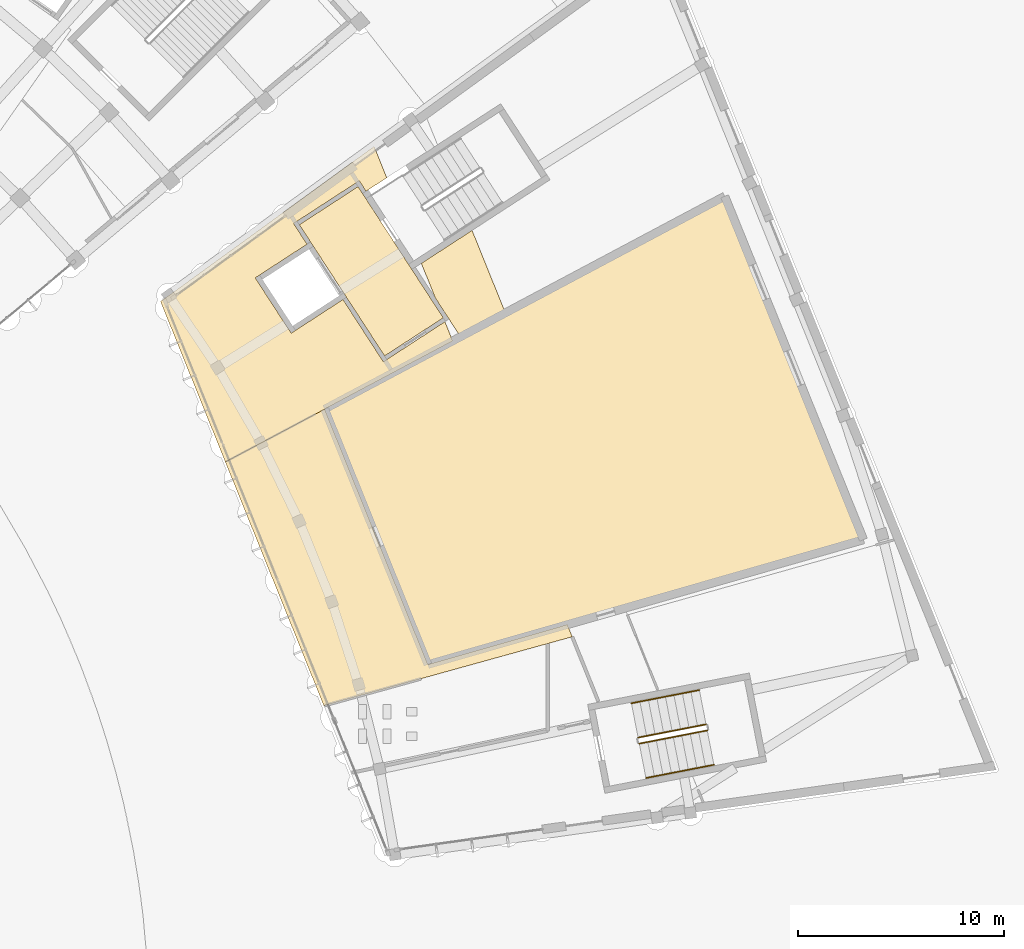
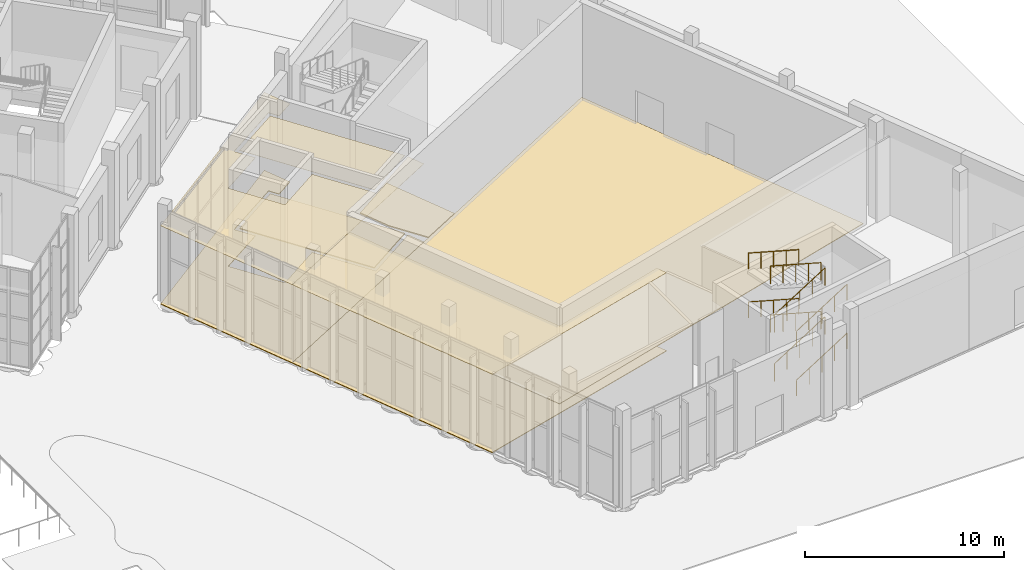
# One storey, part 142 of 155: 8 coverings, 8 railings.
"""IFC4 building model written with IfcOpenShell, lengths in metres."""

from ifc_helpers import new_model, si_unit, direction, frame, origin, origin_2d, place, context, subcontext, project, spatial, polyline, circle, outline, extrude, material, layer, layer_set, type_object, element, save


model = new_model("IFC4")

# Units and contexts
model_context = context("Model", 3, precision=1e-05, world=origin(), true_north=direction((0.0, 1.0)))
body_context = subcontext(model_context, "Body", "Model", "MODEL_VIEW")
ifc_project = project(units=[si_unit("LENGTHUNIT", "METRE"), si_unit("AREAUNIT", "SQUARE_METRE"), si_unit("VOLUMEUNIT", "CUBIC_METRE"), si_unit("PLANEANGLEUNIT", "RADIAN"), si_unit("MASSUNIT", "GRAM", prefix="KILO")], contexts=[model_context])

# Site, building, storey
site_placement = place(None, origin())
site = spatial("IfcSite", under=ifc_project, at=site_placement, CompositionType="ELEMENT")
building_placement = place(site_placement, origin())
building = spatial("IfcBuilding", under=site, at=building_placement, Name="Lunette Opera House", CompositionType="ELEMENT")
storey_placement = place(building_placement, origin())
storey = spatial("IfcBuildingStorey", under=building, at=storey_placement, Name="L00", CompositionType="ELEMENT", Elevation=0.0)

# Covering
ifc_material_1 = material(Name="Cement screed")
ifc_layer_1 = layer(ifc_material_1, 0.070068359375)
ifc_layer_set_1 = layer_set([ifc_layer_1], Name="Cement screed")
covering_type_1 = type_object("IfcCoveringType", Name="SCREED FLOOR FINISH 70", PredefinedType="FLOORING", material=ifc_layer_set_1)
covering_1_placement = place(storey_placement, origin())
element("IfcCovering", 1, at=covering_1_placement, inside=storey, type_object=covering_type_1, Name="Floor finish Studio Corridor North West", PredefinedType="FLOORING", context=body_context, shape_type="SweptSolid", body=[
    extrude(outline(polyline([(157.885009765625, 35.43505859375), (157.429931640625, 36.56005859375), (157.202880859375, 37.1220703125), (158.43505859375, 37.922119140625), (159.6669921875, 38.721923828125), (161.287109375, 34.714111328125), (159.10595703125, 33.553955078125), (158.501953125, 34.48388671875), (157.885009765625, 35.43505859375)])), origin(), (0.0, 0.0, 1.0), 0.070068359375),
])

# Railings
ifc_material_2 = material(Name="Steel S355", Category="steel")
railing_type_1 = type_object("IfcRailingType", Name="STAIR GUARD 1100", PredefinedType="GUARDRAIL", material=ifc_material_2)
railing_1_placement = place(storey_placement, frame((167.785400390625, 13.801025390625, 0.166748046875)))
element("IfcRailing", 2, at=railing_1_placement, inside=storey, type_object=railing_type_1, Name="L00 ST22 stair guard 1", PredefinedType="GUARDRAIL", context=body_context, shape_type="SweptSolid", body=[
    extrude(circle(Radius=0.02392578125, at=origin_2d()), frame((0.0, 0.0, 1.076171875), z_axis=(0.912435432741, 0.177286677346, 0.368823826662), x_axis=(-0.19073352033, 0.981641851299, 0.0)), (0.0, 0.0, 1.0), 3.614990234375),
    extrude(circle(Radius=0.02099609375, at=origin_2d()), origin(), (0.0, 0.0, 1.0), 1.052001953125),
    extrude(circle(Radius=0.02099609375, at=origin_2d()), frame((0.82470703125, 0.16015625, 0.333251953125)), (0.0, 0.0, 1.0), 1.052001953125),
    extrude(circle(Radius=0.02099609375, at=origin_2d()), frame((1.649169921875, 0.3203125, 0.66650390625)), (0.0, 0.0, 1.0), 1.052001953125),
    extrude(circle(Radius=0.02099609375, at=origin_2d()), frame((2.4736328125, 0.480712890625, 1.0)), (0.0, 0.0, 1.0), 1.052001953125),
    extrude(circle(Radius=0.02099609375, at=origin_2d()), frame((3.29833984375, 0.640869140625, 1.333251953125)), (0.0, 0.0, 1.0), 1.052001953125),
])
railing_2_placement = place(storey_placement, frame((171.026611328125, 14.736083984375, 1.666748046875)))
element("IfcRailing", 3, at=railing_2_placement, inside=storey, type_object=railing_type_1, Name="L00 ST22 stair guard 3", PredefinedType="GUARDRAIL", context=body_context, shape_type="SweptSolid", body=[
    extrude(circle(Radius=0.02392578125, at=origin_2d()), frame((0.0, 0.0, 1.076171875), z_axis=(-0.912435432741, -0.177286677346, 0.368823826662), x_axis=(0.19073352033, -0.981641851299, 0.0)), (0.0, 0.0, 1.0), 3.614990234375),
    extrude(circle(Radius=0.02099609375, at=origin_2d()), origin(), (0.0, 0.0, 1.0), 1.052001953125),
    extrude(circle(Radius=0.02099609375, at=origin_2d()), frame((-0.82470703125, -0.16015625, 0.333251953125)), (0.0, 0.0, 1.0), 1.052001953125),
    extrude(circle(Radius=0.02099609375, at=origin_2d()), frame((-1.649169921875, -0.3203125, 0.66650390625)), (0.0, 0.0, 1.0), 1.052001953125),
    extrude(circle(Radius=0.02099609375, at=origin_2d()), frame((-2.4736328125, -0.480712890625, 1.0)), (0.0, 0.0, 1.0), 1.052001953125),
    extrude(circle(Radius=0.02099609375, at=origin_2d()), frame((-3.29833984375, -0.640869140625, 1.333251953125)), (0.0, 0.0, 1.0), 1.052001953125),
])
railing_3_placement = place(storey_placement, frame((167.785400390625, 13.801025390625, 3.166748046875)))
element("IfcRailing", 4, at=railing_3_placement, inside=storey, type_object=railing_type_1, Name="L00 ST22 stair guard 5", PredefinedType="GUARDRAIL", context=body_context, shape_type="SweptSolid", body=[
    extrude(circle(Radius=0.02392578125, at=origin_2d()), frame((0.0, 0.0, 1.076171875), z_axis=(0.912435432741, 0.177286677346, 0.368823826662), x_axis=(-0.19073352033, 0.981641851299, 0.0)), (0.0, 0.0, 1.0), 3.614990234375),
    extrude(circle(Radius=0.02099609375, at=origin_2d()), origin(), (0.0, 0.0, 1.0), 1.052001953125),
    extrude(circle(Radius=0.02099609375, at=origin_2d()), frame((0.82470703125, 0.16015625, 0.333251953125)), (0.0, 0.0, 1.0), 1.052001953125),
    extrude(circle(Radius=0.02099609375, at=origin_2d()), frame((1.649169921875, 0.3203125, 0.66650390625)), (0.0, 0.0, 1.0), 1.052001953125),
    extrude(circle(Radius=0.02099609375, at=origin_2d()), frame((2.4736328125, 0.480712890625, 1.0)), (0.0, 0.0, 1.0), 1.052001953125),
    extrude(circle(Radius=0.02099609375, at=origin_2d()), frame((3.29833984375, 0.640869140625, 1.333251953125)), (0.0, 0.0, 1.0), 1.052001953125),
])
railing_4_placement = place(storey_placement, frame((171.026611328125, 14.736083984375, 4.666748046875)))
element("IfcRailing", 5, at=railing_4_placement, inside=storey, type_object=railing_type_1, Name="L00 ST22 stair guard 7", PredefinedType="GUARDRAIL", context=body_context, shape_type="SweptSolid", body=[
    extrude(circle(Radius=0.02392578125, at=origin_2d()), frame((0.0, 0.0, 1.076171875), z_axis=(-0.912435432741, -0.177286677346, 0.368823826662), x_axis=(0.19073352033, -0.981641851299, 0.0)), (0.0, 0.0, 1.0), 3.614990234375),
    extrude(circle(Radius=0.02099609375, at=origin_2d()), origin(), (0.0, 0.0, 1.0), 1.052001953125),
    extrude(circle(Radius=0.02099609375, at=origin_2d()), frame((-0.82470703125, -0.16015625, 0.333251953125)), (0.0, 0.0, 1.0), 1.052001953125),
    extrude(circle(Radius=0.02099609375, at=origin_2d()), frame((-1.649169921875, -0.3203125, 0.66650390625)), (0.0, 0.0, 1.0), 1.052001953125),
    extrude(circle(Radius=0.02099609375, at=origin_2d()), frame((-2.4736328125, -0.480712890625, 1.0)), (0.0, 0.0, 1.0), 1.052001953125),
    extrude(circle(Radius=0.02099609375, at=origin_2d()), frame((-3.29833984375, -0.640869140625, 1.333251953125)), (0.0, 0.0, 1.0), 1.052001953125),
])
ifc_material_3 = material(Name="Steel S355", Category="steel")
railing_type_2 = type_object("IfcRailingType", Name="STAIR HANDRAIL 1000", PredefinedType="HANDRAIL", material=ifc_material_3)
railing_5_placement = place(storey_placement, frame((168.109619140625, 12.132080078125, 0.166748046875)))
element("IfcRailing", 6, at=railing_5_placement, inside=storey, type_object=railing_type_2, Name="L00 ST22 stair handrail 1", PredefinedType="HANDRAIL", context=body_context, shape_type="SweptSolid", body=[
    extrude(circle(Radius=0.02392578125, at=origin_2d()), frame((0.0, 0.0, 0.97607421875), z_axis=(0.912424505766, 0.177352091202, 0.36881940977), x_axis=(-0.190803535931, 0.981628244641, 0.0)), (0.0, 0.0, 1.0), 3.614990234375),
    extrude(circle(Radius=0.02099609375, at=origin_2d()), origin(), (0.0, 0.0, 1.0), 0.951904296875),
    extrude(circle(Radius=0.02099609375, at=origin_2d()), frame((0.82470703125, 0.16015625, 0.333251953125)), (0.0, 0.0, 1.0), 0.951904296875),
    extrude(circle(Radius=0.02099609375, at=origin_2d()), frame((1.649169921875, 0.320556640625, 0.66650390625)), (0.0, 0.0, 1.0), 0.951904296875),
    extrude(circle(Radius=0.02099609375, at=origin_2d()), frame((2.4736328125, 0.48095703125, 1.0)), (0.0, 0.0, 1.0), 0.951904296875),
    extrude(circle(Radius=0.02099609375, at=origin_2d()), frame((3.29833984375, 0.64111328125, 1.333251953125)), (0.0, 0.0, 1.0), 0.951904296875),
])
railing_6_placement = place(storey_placement, frame((170.7021484375, 16.40478515625, 1.666748046875)))
element("IfcRailing", 7, at=railing_6_placement, inside=storey, type_object=railing_type_2, Name="L00 ST22 stair handrail 2", PredefinedType="HANDRAIL", context=body_context, shape_type="SweptSolid", body=[
    extrude(circle(Radius=0.02392578125, at=origin_2d()), frame((0.0, 0.0, 0.97607421875), z_axis=(-0.912424121712, -0.177297603042, 0.368846556271), x_axis=(0.190747125633, -0.981639207684, 0.0)), (0.0, 0.0, 1.0), 3.61474609375),
    extrude(circle(Radius=0.02099609375, at=origin_2d()), origin(), (0.0, 0.0, 1.0), 0.951904296875),
    extrude(circle(Radius=0.02099609375, at=origin_2d()), frame((-0.824462890625, -0.16015625, 0.333251953125)), (0.0, 0.0, 1.0), 0.951904296875),
    extrude(circle(Radius=0.02099609375, at=origin_2d()), frame((-1.64892578125, -0.3203125, 0.66650390625)), (0.0, 0.0, 1.0), 0.951904296875),
    extrude(circle(Radius=0.02099609375, at=origin_2d()), frame((-2.4736328125, -0.480712890625, 1.0)), (0.0, 0.0, 1.0), 0.951904296875),
    extrude(circle(Radius=0.02099609375, at=origin_2d()), frame((-3.298095703125, -0.640869140625, 1.333251953125)), (0.0, 0.0, 1.0), 0.951904296875),
])
railing_7_placement = place(storey_placement, frame((168.109619140625, 12.132080078125, 3.166748046875)))
element("IfcRailing", 8, at=railing_7_placement, inside=storey, type_object=railing_type_2, Name="L00 ST22 stair handrail 3", PredefinedType="HANDRAIL", context=body_context, shape_type="SweptSolid", body=[
    extrude(circle(Radius=0.02392578125, at=origin_2d()), frame((0.0, 0.0, 0.97607421875), z_axis=(0.912424505766, 0.177352091202, 0.36881940977), x_axis=(-0.190803535931, 0.981628244641, 0.0)), (0.0, 0.0, 1.0), 3.614990234375),
    extrude(circle(Radius=0.02099609375, at=origin_2d()), origin(), (0.0, 0.0, 1.0), 0.951904296875),
    extrude(circle(Radius=0.02099609375, at=origin_2d()), frame((0.82470703125, 0.16015625, 0.333251953125)), (0.0, 0.0, 1.0), 0.951904296875),
    extrude(circle(Radius=0.02099609375, at=origin_2d()), frame((1.649169921875, 0.320556640625, 0.66650390625)), (0.0, 0.0, 1.0), 0.951904296875),
    extrude(circle(Radius=0.02099609375, at=origin_2d()), frame((2.4736328125, 0.48095703125, 1.0)), (0.0, 0.0, 1.0), 0.951904296875),
    extrude(circle(Radius=0.02099609375, at=origin_2d()), frame((3.29833984375, 0.64111328125, 1.333251953125)), (0.0, 0.0, 1.0), 0.951904296875),
])
railing_8_placement = place(storey_placement, frame((170.7021484375, 16.40478515625, 4.666748046875)))
element("IfcRailing", 9, at=railing_8_placement, inside=storey, type_object=railing_type_2, Name="L00 ST22 stair handrail 4", PredefinedType="HANDRAIL", context=body_context, shape_type="SweptSolid", body=[
    extrude(circle(Radius=0.02392578125, at=origin_2d()), frame((0.0, 0.0, 0.97607421875), z_axis=(-0.912424121712, -0.177297603042, 0.368846556271), x_axis=(0.190747125633, -0.981639207684, 0.0)), (0.0, 0.0, 1.0), 3.61474609375),
    extrude(circle(Radius=0.02099609375, at=origin_2d()), origin(), (0.0, 0.0, 1.0), 0.951904296875),
    extrude(circle(Radius=0.02099609375, at=origin_2d()), frame((-0.824462890625, -0.16015625, 0.333251953125)), (0.0, 0.0, 1.0), 0.951904296875),
    extrude(circle(Radius=0.02099609375, at=origin_2d()), frame((-1.64892578125, -0.3203125, 0.66650390625)), (0.0, 0.0, 1.0), 0.951904296875),
    extrude(circle(Radius=0.02099609375, at=origin_2d()), frame((-2.4736328125, -0.480712890625, 1.0)), (0.0, 0.0, 1.0), 0.951904296875),
    extrude(circle(Radius=0.02099609375, at=origin_2d()), frame((-3.298095703125, -0.640869140625, 1.333251953125)), (0.0, 0.0, 1.0), 0.951904296875),
])

# Coverings
ifc_material_4 = material(Name="Mineral fibre board")
ifc_layer_2 = layer(ifc_material_4, 0.014892578125)
ifc_layer_set_2 = layer_set([ifc_layer_2], Name="Mineral fibre board")
covering_type_2 = type_object("IfcCoveringType", Name="SUSPENDED ACOUSTIC CEILING 15", PredefinedType="CEILING", material=ifc_layer_set_2)
covering_2_placement = place(storey_placement, frame((0.0, 0.0, 4.81494140625)))
element("IfcCovering", 10, at=covering_2_placement, inside=storey, type_object=covering_type_2, Name="Ceiling Lift Lobby L00 Studio", PredefinedType="CEILING", context=body_context, shape_type="SweptSolid", body=[
    extrude(outline(polyline([(151.278076171875, 38.998046875), (155.4169921875, 32.6240234375), (158.26904296875, 34.47607421875), (154.1298828125, 40.85009765625), (151.278076171875, 38.998046875)])), origin(), (0.0, 0.0, 1.0), 0.01513671875),
])
covering_3_placement = place(storey_placement, frame((0.0, 0.0, 4.81494140625)))
element("IfcCovering", 11, at=covering_3_placement, inside=storey, type_object=covering_type_2, Name="Ceiling Studio Bar", PredefinedType="CEILING", context=body_context, shape_type="SweptSolid", body=[
    extrude(outline(polyline([(154.51611328125, 40.623046875), (154.18896484375, 41.126953125), (151.0009765625, 39.056884765625), (151.655029296875, 38.050048828125), (149.138916015625, 36.4169921875), (150.882080078125, 33.73291015625), (153.39794921875, 35.366943359375), (155.35791015625, 32.346923828125), (158.347900390625, 34.2890625), (158.72607421875, 33.35205078125), (152.509033203125, 30.0458984375), (152.510009765625, 30.04296875), (147.68701171875, 27.47900390625), (144.541015625, 35.26708984375), (154.908935546875, 42.800048828125), (155.52392578125, 41.278076171875), (154.51611328125, 40.623046875)])), origin(), (0.0, 0.0, 1.0), 0.01513671875),
])
covering_4_placement = place(storey_placement, frame((0.0, 0.0, 4.81494140625)))
element("IfcCovering", 12, at=covering_4_placement, inside=storey, type_object=covering_type_2, Name="Ceiling Studio Dressing Rooms", PredefinedType="CEILING", context=body_context, shape_type="SweptSolid", body=[
    extrude(outline(polyline([(164.2900390625, 19.58203125), (164.529052734375, 18.989990234375), (152.467041015625, 15.64794921875), (147.68701171875, 27.47900390625), (152.510009765625, 30.04296875), (157.52099609375, 17.64111328125), (164.2900390625, 19.58203125)])), origin(), (0.0, 0.0, 1.0), 0.01513671875),
])
ifc_material_5 = material(Name="Terrazzo")
ifc_layer_3 = layer(ifc_material_5, 0.06005859375)
ifc_layer_set_3 = layer_set([ifc_layer_3], Name="Terrazzo")
covering_type_3 = type_object("IfcCoveringType", Name="TERRAZZO FLOOR FINISH 60", PredefinedType="FLOORING", material=ifc_layer_set_3)
covering_5_placement = place(storey_placement, origin())
element("IfcCovering", 13, at=covering_5_placement, inside=storey, type_object=covering_type_3, Name="Floor finish Lift Lobby L00 Studio", PredefinedType="FLOORING", context=body_context, shape_type="SweptSolid", body=[
    extrude(outline(polyline([(151.278076171875, 38.998046875), (155.4169921875, 32.6240234375), (158.26904296875, 34.47607421875), (154.1298828125, 40.85009765625), (151.278076171875, 38.998046875)])), origin(), (0.0, 0.0, 1.0), 0.06005859375),
])
ifc_material_6 = material(Name="Timber", Category="wood")
ifc_layer_4 = layer(ifc_material_6, 0.0400390625)
ifc_layer_set_4 = layer_set([ifc_layer_4], Name="Timber")
covering_type_4 = type_object("IfcCoveringType", Name="TIMBER FLOOR FINISH 40", PredefinedType="FLOORING", material=ifc_layer_set_4)
covering_6_placement = place(storey_placement, origin())
element("IfcCovering", 14, at=covering_6_placement, inside=storey, type_object=covering_type_4, Name="Floor finish Studio Theatre", PredefinedType="FLOORING", context=body_context, shape_type="SweptSolid", body=[
    extrude(outline(polyline([(171.93310546875, 40.375), (152.509033203125, 30.0458984375), (157.52099609375, 17.64111328125), (178.6689453125, 23.705078125), (171.93310546875, 40.375)])), origin(), (0.0, 0.0, 1.0), 0.0400390625),
])
covering_7_placement = place(storey_placement, origin())
element("IfcCovering", 15, at=covering_7_placement, inside=storey, type_object=covering_type_4, Name="Floor finish Studio Bar", PredefinedType="FLOORING", context=body_context, shape_type="SweptSolid", body=[
    extrude(outline(polyline([(154.51611328125, 40.623046875), (154.18896484375, 41.126953125), (151.0009765625, 39.056884765625), (151.655029296875, 38.050048828125), (149.138916015625, 36.4169921875), (150.882080078125, 33.73291015625), (153.39794921875, 35.366943359375), (155.35791015625, 32.346923828125), (158.347900390625, 34.2890625), (158.72607421875, 33.35205078125), (152.509033203125, 30.0458984375), (152.510009765625, 30.04296875), (147.68701171875, 27.47900390625), (144.541015625, 35.26708984375), (154.908935546875, 42.800048828125), (155.52392578125, 41.278076171875), (154.51611328125, 40.623046875)])), origin(), (0.0, 0.0, 1.0), 0.0400390625),
])
covering_8_placement = place(storey_placement, origin())
element("IfcCovering", 16, at=covering_8_placement, inside=storey, type_object=covering_type_4, Name="Floor finish Studio Dressing Rooms", PredefinedType="FLOORING", context=body_context, shape_type="SweptSolid", body=[
    extrude(outline(polyline([(164.2900390625, 19.58203125), (164.529052734375, 18.989990234375), (152.467041015625, 15.64794921875), (147.68701171875, 27.47900390625), (152.510009765625, 30.04296875), (157.52099609375, 17.64111328125), (164.2900390625, 19.58203125)])), origin(), (0.0, 0.0, 1.0), 0.0400390625),
])

save(model, "model.ifc")
